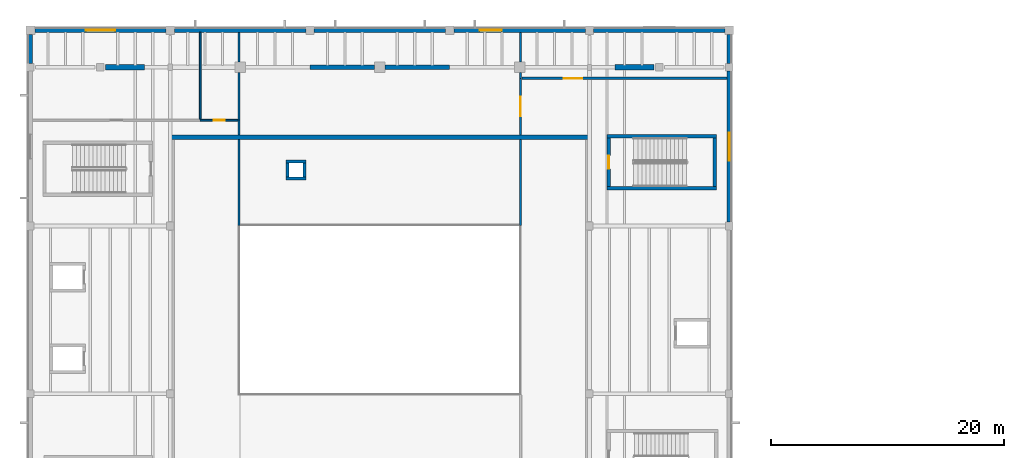
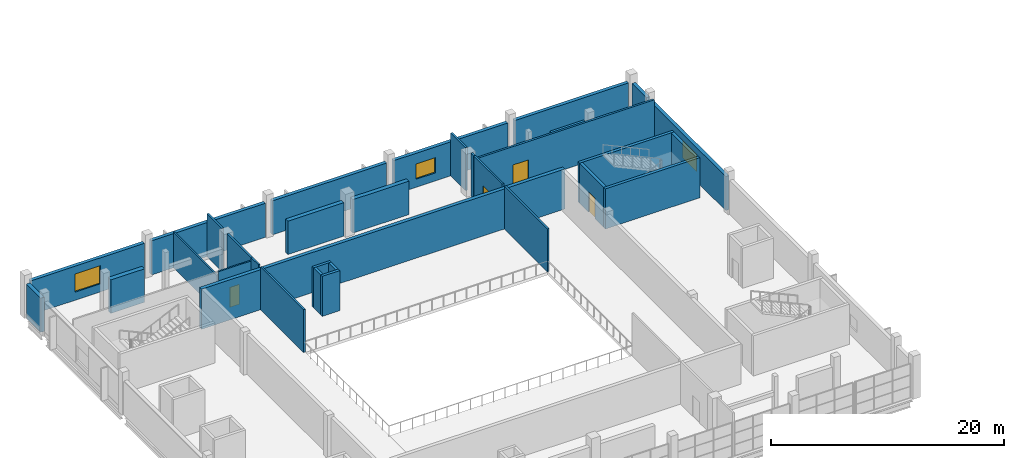
# One storey, part 47 of 63: 32 walls, 4 doors, 3 windows, 7 openings.
"""IFC4 building model written with IfcOpenShell, lengths in metres."""

from ifc_helpers import new_model, si_unit, direction, frame, frame_2d, origin, place, context, subcontext, project, spatial, rectangle, extrude, material, layer, layer_set, type_object, element, fill, save


model = new_model("IFC4")

# Units and contexts
model_context = context("Model", 3, precision=1e-05, world=origin(), true_north=direction((0.0, 1.0)))
body_context = subcontext(model_context, "Body", "Model", "MODEL_VIEW")
ifc_project = project(units=[si_unit("LENGTHUNIT", "METRE"), si_unit("AREAUNIT", "SQUARE_METRE"), si_unit("VOLUMEUNIT", "CUBIC_METRE"), si_unit("PLANEANGLEUNIT", "RADIAN"), si_unit("MASSUNIT", "GRAM", prefix="KILO")], contexts=[model_context])

# Site, building, storey
site_placement = place(None, origin())
site = spatial("IfcSite", under=ifc_project, at=site_placement, CompositionType="ELEMENT")
building_placement = place(site_placement, origin())
building = spatial("IfcBuilding", under=site, at=building_placement, Name="Kelmvaro Bay Concert Hall", CompositionType="ELEMENT")
storey_placement = place(building_placement, frame((0.0, 0.0, 13.800048828125)))
storey = spatial("IfcBuildingStorey", under=building, at=storey_placement, Name="L03", CompositionType="ELEMENT", Elevation=13.800048828125)

# Walls
ifc_material_1 = material(Name="Acoustic Gypsum Board on Galvanised Steel Studs", Category="steel")
ifc_layer_1 = layer(ifc_material_1, 0.199951171875)
ifc_layer_set_1 = layer_set([ifc_layer_1], Name="Acoustic Gypsum Board on Galvanised Steel Studs")
wall_type_1 = type_object("IfcWallType", Name="Double-Stud Acoustic Studio Partition 200", PredefinedType="PARTITIONING", material=ifc_layer_set_1)
wall_1_placement = place(storey_placement, frame((42.080078125, 109.875, 0.0), z_axis=(0.0, 0.0, 1.0), x_axis=(0.0, 1.0, 0.0)))
element("IfcWall", 1, at=wall_1_placement, inside=storey, type_object=wall_type_1, Name="L03 Interior Partition PT-L03-0287", PredefinedType="PARTITIONING", context=body_context, shape_type="SweptSolid", body=[
    extrude(rectangle(XDim=0.487060546875, YDim=0.199951171875, at=frame_2d((0.24365234375, 0.0))), origin(), (0.0, 0.0, 1.0), 4.5),
])
wall_2_placement = place(storey_placement, frame((42.080078125, 111.278076171875, 0.0), z_axis=(0.0, 0.0, 1.0), x_axis=(0.0, 1.0, 0.0)))
element("IfcWall", 2, at=wall_2_placement, inside=storey, type_object=wall_type_1, Name="L03 Interior Partition PT-L03-0288", PredefinedType="PARTITIONING", context=body_context, shape_type="SweptSolid", body=[
    extrude(rectangle(XDim=2.5419921875, YDim=0.199951171875, at=frame_2d((1.27099609375, 0.0))), origin(), (0.0, 0.0, 1.0), 4.5),
])

# Wall, opening, door
wall_3_placement = place(storey_placement, frame((42.18994140625, 109.8798828125, 0.0), z_axis=(0.0, 0.0, 1.0), x_axis=(1.0, 0.0, 0.0)))
wall_3 = element("IfcWall", 3, at=wall_3_placement, inside=storey, type_object=wall_type_1, Name="L03 Interior Partition PT-L03-0293", PredefinedType="PARTITIONING", context=body_context, shape_type="SweptSolid", body=[
    extrude(rectangle(XDim=17.630126953125, YDim=0.199951171875, at=frame_2d((8.81494140625, 0.0))), origin(), (0.0, 0.0, 1.0), 4.179931640625),
])
opening_1_placement = place(wall_3_placement, frame((3.61767578125, 0.0, 0.0)))
opening_1 = element("IfcOpeningElement", 4, at=opening_1_placement, cuts=wall_3, Name="Opening ID-PL1", PredefinedType="OPENING", context=body_context, shape_type="SweptSolid", body=[
    extrude(rectangle(XDim=1.56005859375, YDim=2.260009765625, at=frame_2d((0.780029296875, 1.1298828125))), frame((0.0, 0.10986328125, 0.0), z_axis=(0.0, -1.0, 0.0), x_axis=(1.0, 0.0, 0.0)), (0.0, 0.0, 1.0), 0.219970703125),
])
ifc_material_2 = material(Name="Insulated Galvanised Steel", Category="steel")
door_type_1 = type_object("IfcDoorType", Name="Acoustic Plant Double Louvred Door 1560x2260", OperationType="NOTDEFINED", PredefinedType="DOOR", material=ifc_material_2)
door_1_placement = place(opening_1_placement, origin())
door_1 = element("IfcDoor", 5, at=door_1_placement, inside=storey, type_object=door_type_1, Name="L03 Interior Door DR-INT-L03-0170", OperationType="DOUBLE_DOOR_SINGLE_SWING", OverallHeight=2.260009765625, OverallWidth=1.56005859375, PredefinedType="DOOR", context=body_context, shape_type="SweptSolid", body=[
    extrude(rectangle(XDim=1.56005859375, YDim=2.260009765625, at=frame_2d((0.780029296875, 1.1298828125))), frame((0.0, 0.02490234375, 0.0), z_axis=(0.0, -1.0, 0.0), x_axis=(1.0, 0.0, 0.0)), (0.0, 0.0, 1.0), 0.050048828125),
])
fill(opening_1, door_1)

# Wall
ifc_material_3 = material(Name="Concrete C40/50", Category="concrete")
ifc_layer_2 = layer(ifc_material_3, 0.35009765625)
ifc_layer_set_2 = layer_set([ifc_layer_2], Name="Concrete C40/50")
wall_type_2 = type_object("IfcWallType", Name="Inner Floating Box Shear Wall 350", PredefinedType="SHEAR", material=ifc_layer_set_2)
wall_4_placement = place(storey_placement, frame((12.0048828125, 104.820068359375, 0.0), z_axis=(0.0, 0.0, 1.0), x_axis=(1.0, 0.0, 0.0)))
element("IfcWall", 6, at=wall_4_placement, inside=storey, type_object=wall_type_2, Name="L03 V1 Acoustic Inner Box Wall N", PredefinedType="SHEAR", context=body_context, shape_type="SweptSolid", body=[
    extrude(rectangle(XDim=35.990234375, YDim=0.35009765625, at=frame_2d((17.9951171875, 0.0))), origin(), (0.0, 0.0, 1.0), 4.199951171875),
])

# Wall, opening, window
ifc_material_4 = material(Name="Precast Concrete C40/50", Category="concrete")
ifc_layer_3 = layer(ifc_material_4, 0.340087890625)
ifc_layer_set_3 = layer_set([ifc_layer_3], Name="Precast Concrete C40/50")
wall_type_3 = type_object("IfcWallType", Name="Main Hall Faceted Precast Wall 340", PredefinedType="SOLIDWALL", material=ifc_layer_set_3)
wall_5_placement = place(storey_placement, frame((0.375, 114.0, 0.0), z_axis=(0.0, 0.0, 1.0), x_axis=(1.0, 0.0, 0.0)))
wall_5 = element("IfcWall", 7, at=wall_5_placement, inside=storey, type_object=wall_type_3, Name="L03 Exterior Wall EW-L03-0047", PredefinedType="SOLIDWALL", context=body_context, shape_type="SweptSolid", body=[
    extrude(rectangle(XDim=11.27490234375, YDim=0.340087890625, at=frame_2d((5.637451171875, 0.0))), origin(), (0.0, 0.0, 1.0), 3.56884765625),
])
opening_2_placement = place(wall_5_placement, frame((4.387451171875, 0.0, 0.85009765625)))
opening_2 = element("IfcOpeningElement", 8, at=opening_2_placement, cuts=wall_5, Name="Opening WN-22", PredefinedType="OPENING", context=body_context, shape_type="SweptSolid", body=[
    extrude(rectangle(XDim=2.5, YDim=1.89990234375, at=frame_2d((1.25, 0.949951171875))), frame((0.0, 0.179931640625, 0.0), z_axis=(0.0, -1.0, 0.0), x_axis=(1.0, 0.0, 0.0)), (0.0, 0.0, 1.0), 0.360107421875),
])
ifc_material_5 = material(Name="Thermally Broken Aluminium and Acoustic Low-E Glass", Category="aluminium")
window_type_1 = type_object("IfcWindowType", Name="Conductor Suite Bay Window 2500x1900", PartitioningType="SINGLE_PANEL", PredefinedType="WINDOW", material=ifc_material_5)
window_1_placement = place(opening_2_placement, origin())
window_1 = element("IfcWindow", 9, at=window_1_placement, inside=storey, type_object=window_type_1, Name="L03 Facade Window WN-L03-0024", OverallHeight=1.89990234375, OverallWidth=2.5, PartitioningType="SINGLE_PANEL", PredefinedType="WINDOW", context=body_context, shape_type="SweptSolid", body=[
    extrude(rectangle(XDim=2.5, YDim=1.89990234375, at=frame_2d((1.25, 0.949951171875))), frame((0.0, 0.030029296875, 0.0), z_axis=(0.0, -1.0, 0.0), x_axis=(1.0, 0.0, 0.0)), (0.0, 0.0, 1.0), 0.06005859375),
])
fill(opening_2, window_1)

# Walls
for number, where, z_axis, x_axis, name in (
    (10, (12.35009765625, 114.0, 0.0), (0.0, 0.0, 1.0), (1.0, 0.0, 0.0), "L03 Exterior Wall EW-L03-0048"),
    (11, (24.35009765625, 114.0, 0.0), (0.0, 0.0, 1.0), (1.0, 0.0, 0.0), "L03 Exterior Wall EW-L03-0049"),
):
    element("IfcWall", number, at=place(storey_placement, frame(where, z_axis=z_axis, x_axis=x_axis)), inside=storey, type_object=wall_type_3, Name=name, PredefinedType="SOLIDWALL", context=body_context, shape_type="SweptSolid", body=[
        extrude(rectangle(XDim=11.2998046875, YDim=0.340087890625, at=frame_2d((5.64990234375, 0.0))), origin(), (0.0, 0.0, 1.0), 3.56884765625),
    ])

# Wall, opening, window
wall_6_placement = place(storey_placement, frame((36.35009765625, 114.0, 0.0), z_axis=(0.0, 0.0, 1.0), x_axis=(1.0, 0.0, 0.0)))
wall_6 = element("IfcWall", 12, at=wall_6_placement, inside=storey, type_object=wall_type_3, Name="L03 Exterior Wall EW-L03-0050", PredefinedType="SOLIDWALL", context=body_context, shape_type="SweptSolid", body=[
    extrude(rectangle(XDim=11.2998046875, YDim=0.340087890625, at=frame_2d((5.64990234375, 0.0))), origin(), (0.0, 0.0, 1.0), 3.56884765625),
])
opening_3_placement = place(wall_6_placement, frame((2.214111328125, 0.0, 0.85009765625)))
opening_3 = element("IfcOpeningElement", 13, at=opening_3_placement, cuts=wall_6, Name="Opening WN-23", PredefinedType="OPENING", context=body_context, shape_type="SweptSolid", body=[
    extrude(rectangle(XDim=1.89990234375, YDim=1.60009765625, at=frame_2d((0.949951171875, 0.800048828125))), frame((0.0, 0.179931640625, 0.0), z_axis=(0.0, -1.0, 0.0), x_axis=(1.0, 0.0, 0.0)), (0.0, 0.0, 1.0), 0.360107421875),
])
ifc_material_6 = material(Name="Thermally Broken Aluminium and Acoustic Low-E Glass", Category="aluminium")
window_type_2 = type_object("IfcWindowType", Name="Chorus Studio Daylight Window 1900x1600", PartitioningType="SINGLE_PANEL", PredefinedType="WINDOW", material=ifc_material_6)
window_2_placement = place(opening_3_placement, origin())
window_2 = element("IfcWindow", 14, at=window_2_placement, inside=storey, type_object=window_type_2, Name="L03 Facade Window WN-L03-0025", OverallHeight=1.60009765625, OverallWidth=1.89990234375, PartitioningType="SINGLE_PANEL", PredefinedType="WINDOW", context=body_context, shape_type="SweptSolid", body=[
    extrude(rectangle(XDim=1.89990234375, YDim=1.60009765625, at=frame_2d((0.949951171875, 0.800048828125))), frame((0.0, 0.030029296875, 0.0), z_axis=(0.0, -1.0, 0.0), x_axis=(1.0, 0.0, 0.0)), (0.0, 0.0, 1.0), 0.06005859375),
])
fill(opening_3, window_2)

# Walls
wall_7_placement = place(storey_placement, frame((48.35009765625, 114.0, 0.0), z_axis=(0.0, 0.0, 1.0), x_axis=(1.0, 0.0, 0.0)))
element("IfcWall", 15, at=wall_7_placement, inside=storey, type_object=wall_type_3, Name="L03 Exterior Wall EW-L03-0051", PredefinedType="SOLIDWALL", context=body_context, shape_type="SweptSolid", body=[
    extrude(rectangle(XDim=11.27490234375, YDim=0.340087890625, at=frame_2d((5.637451171875, 0.0))), origin(), (0.0, 0.0, 1.0), 3.56884765625),
])
wall_8_placement = place(storey_placement, frame((60.0, 113.625, 0.0), z_axis=(0.0, 0.0, 1.0), x_axis=(0.0, -1.0, 0.0)))
element("IfcWall", 16, at=wall_8_placement, inside=storey, type_object=wall_type_3, Name="L03 Exterior Wall EW-L03-0060", PredefinedType="SOLIDWALL", context=body_context, shape_type="SweptSolid", body=[
    extrude(rectangle(XDim=2.47998046875, YDim=0.340087890625, at=frame_2d((1.239990234375, 0.0))), origin(), (0.0, 0.0, 1.0), 3.56787109375),
])

# Wall, opening, window
wall_9_placement = place(storey_placement, frame((60.0, 110.4951171875, 0.0), z_axis=(0.0, 0.0, 1.0), x_axis=(0.0, -1.0, 0.0)))
wall_9 = element("IfcWall", 17, at=wall_9_placement, inside=storey, type_object=wall_type_3, Name="L03 Exterior Wall EW-L03-0061", PredefinedType="SOLIDWALL", context=body_context, shape_type="SweptSolid", body=[
    extrude(rectangle(XDim=12.97021484375, YDim=0.340087890625, at=frame_2d((6.485107421875, 0.0))), origin(), (0.0, 0.0, 1.0), 3.56884765625),
])
opening_4_placement = place(wall_9_placement, frame((5.284912109375, 0.0, 0.85009765625)))
opening_4 = element("IfcOpeningElement", 18, at=opening_4_placement, cuts=wall_9, Name="Opening WN-01", PredefinedType="OPENING", context=body_context, shape_type="SweptSolid", body=[
    extrude(rectangle(XDim=2.39990234375, YDim=1.800048828125, at=frame_2d((1.199951171875, 0.89990234375))), frame((0.0, 0.179931640625, 0.0), z_axis=(0.0, -1.0, 0.0), x_axis=(1.0, 0.0, 0.0)), (0.0, 0.0, 1.0), 0.360107421875),
])
ifc_material_7 = material(Name="Thermally Broken Aluminium and Acoustic Low-E Glass", Category="aluminium")
window_type_3 = type_object("IfcWindowType", Name="Bauhaus Ribbon Window 2400x1800", PartitioningType="SINGLE_PANEL", PredefinedType="WINDOW", material=ifc_material_7)
window_3_placement = place(opening_4_placement, origin())
window_3 = element("IfcWindow", 19, at=window_3_placement, inside=storey, type_object=window_type_3, Name="L03 Facade Window WN-L03-0029", OverallHeight=1.800048828125, OverallWidth=2.39990234375, PartitioningType="SINGLE_PANEL", PredefinedType="WINDOW", context=body_context, shape_type="SweptSolid", body=[
    extrude(rectangle(XDim=2.39990234375, YDim=1.800048828125, at=frame_2d((1.199951171875, 0.89990234375))), frame((0.0, 0.030029296875, 0.0), z_axis=(0.0, -1.0, 0.0), x_axis=(1.0, 0.0, 0.0)), (0.0, 0.0, 1.0), 0.06005859375),
])
fill(opening_4, window_3)

# Walls
ifc_material_8 = material(Name="Concrete C40/50", Category="concrete")
ifc_layer_4 = layer(ifc_material_8, 0.449951171875)
ifc_layer_set_4 = layer_set([ifc_layer_4], Name="Concrete C40/50")
wall_type_4 = type_object("IfcWallType", Name="Outer Acoustic Box Shear Wall 450", PredefinedType="SHEAR", material=ifc_layer_set_4)
for number, where, z_axis, x_axis, name in (
    (20, (6.449951171875, 110.820068359375, 0.0), (0.0, 0.0, 1.0), (1.0, 0.0, 0.0), "L03 Shell Springing Shear Wall N1"),
    (21, (50.199951171875, 110.820068359375, 0.0), (0.0, 0.0, 1.0), (1.0, 0.0, 0.0), "L03 Shell Springing Shear Wall N4"),
):
    element("IfcWall", number, at=place(storey_placement, frame(where, z_axis=z_axis, x_axis=x_axis)), inside=storey, type_object=wall_type_4, Name=name, PredefinedType="SHEAR", context=body_context, shape_type="SweptSolid", body=[
        extrude(rectangle(XDim=3.35009765625, YDim=0.449951171875, at=frame_2d((1.675048828125, 0.0))), origin(), (0.0, 0.0, 1.0), 3.5048828125),
    ])
ifc_material_9 = material(Name="Acoustic Gypsum Board on Galvanised Steel Studs", Category="steel")
ifc_layer_5 = layer(ifc_material_9, 0.179931640625)
ifc_layer_set_5 = layer_set([ifc_layer_5], Name="Acoustic Gypsum Board on Galvanised Steel Studs")
wall_type_5 = type_object("IfcWallType", Name="Rehearsal Suite Acoustic Partition 180", PredefinedType="PARTITIONING", material=ifc_layer_set_5)
wall_10_placement = place(storey_placement, frame((17.919921875, 97.25, 0.0), z_axis=(0.0, 0.0, 1.0), x_axis=(0.0, 1.0, 0.0)))
element("IfcWall", 22, at=wall_10_placement, inside=storey, type_object=wall_type_5, Name="L03 Interior Partition PT-L03-0281", PredefinedType="PARTITIONING", context=body_context, shape_type="SweptSolid", body=[
    extrude(rectangle(XDim=7.385009765625, YDim=0.179931640625, at=frame_2d((3.6923828125, 0.0))), origin(), (0.0, 0.0, 1.0), 4.5),
])
wall_11_placement = place(storey_placement, frame((17.919921875, 105.0048828125, 0.0), z_axis=(0.0, 0.0, 1.0), x_axis=(0.0, 1.0, 0.0)))
element("IfcWall", 23, at=wall_11_placement, inside=storey, type_object=wall_type_5, Name="L03 Interior Partition PT-L03-0282", PredefinedType="PARTITIONING", context=body_context, shape_type="SweptSolid", body=[
    extrude(rectangle(XDim=1.280029296875, YDim=0.179931640625, at=frame_2d((0.64013671875, 0.0))), origin(), (0.0, 0.0, 1.0), 4.5),
])
wall_12_placement = place(storey_placement, frame((17.919921875, 106.27490234375, 0.0), z_axis=(0.0, 0.0, 1.0), x_axis=(0.0, 1.0, 0.0)))
element("IfcWall", 24, at=wall_12_placement, inside=storey, type_object=wall_type_5, Name="L03 Interior Partition PT-L03-0283", PredefinedType="PARTITIONING", context=body_context, shape_type="SweptSolid", body=[
    extrude(rectangle(XDim=4.087158203125, YDim=0.179931640625, at=frame_2d((2.04345703125, 0.0))), origin(), (0.0, 0.0, 1.0), 4.5),
])
wall_13_placement = place(storey_placement, frame((17.919921875, 111.278076171875, 0.0), z_axis=(0.0, 0.0, 1.0), x_axis=(0.0, 1.0, 0.0)))
element("IfcWall", 25, at=wall_13_placement, inside=storey, type_object=wall_type_5, Name="L03 Interior Partition PT-L03-0284", PredefinedType="PARTITIONING", context=body_context, shape_type="SweptSolid", body=[
    extrude(rectangle(XDim=2.5419921875, YDim=0.179931640625, at=frame_2d((1.27099609375, 0.0))), origin(), (0.0, 0.0, 1.0), 4.5),
])
wall_14_placement = place(storey_placement, frame((42.080078125, 97.25, 0.0), z_axis=(0.0, 0.0, 1.0), x_axis=(0.0, 1.0, 0.0)))
element("IfcWall", 26, at=wall_14_placement, inside=storey, type_object=wall_type_5, Name="L03 Interior Partition PT-L03-0285", PredefinedType="PARTITIONING", context=body_context, shape_type="SweptSolid", body=[
    extrude(rectangle(XDim=7.385009765625, YDim=0.179931640625, at=frame_2d((3.6923828125, 0.0))), origin(), (0.0, 0.0, 1.0), 4.5),
])

# Wall, opening, door
wall_15_placement = place(storey_placement, frame((42.080078125, 105.0048828125, 0.0), z_axis=(0.0, 0.0, 1.0), x_axis=(0.0, 1.0, 0.0)))
wall_15 = element("IfcWall", 27, at=wall_15_placement, inside=storey, type_object=wall_type_5, Name="L03 Interior Partition PT-L03-0286", PredefinedType="PARTITIONING", context=body_context, shape_type="SweptSolid", body=[
    extrude(rectangle(XDim=4.880126953125, YDim=0.179931640625, at=frame_2d((2.43994140625, 0.0))), origin(), (0.0, 0.0, 1.0), 4.5),
])
opening_5_placement = place(wall_15_placement, frame((1.60009765625, 0.0, 0.0)))
opening_5 = element("IfcOpeningElement", 28, at=opening_5_placement, cuts=wall_15, Name="Opening ID-AC2", PredefinedType="OPENING", context=body_context, shape_type="SweptSolid", body=[
    extrude(rectangle(XDim=1.679931640625, YDim=2.320068359375, at=frame_2d((0.83984375, 1.16015625))), frame((0.0, 0.099853515625, 0.0), z_axis=(0.0, -1.0, 0.0), x_axis=(1.0, 0.0, 0.0)), (0.0, 0.0, 1.0), 0.199951171875),
])
ifc_material_10 = material(Name="Solid White Oak Acoustic Leaf")
door_type_2 = type_object("IfcDoorType", Name="Chamber Hall Acoustic Double Door 1680x2320", OperationType="NOTDEFINED", PredefinedType="DOOR", material=ifc_material_10)
door_2_placement = place(opening_5_placement, origin())
door_2 = element("IfcDoor", 29, at=door_2_placement, inside=storey, type_object=door_type_2, Name="L03 Interior Door DR-INT-L03-0167", OperationType="DOUBLE_DOOR_SINGLE_SWING", OverallHeight=2.320068359375, OverallWidth=1.679931640625, PredefinedType="DOOR", context=body_context, shape_type="SweptSolid", body=[
    extrude(rectangle(XDim=1.679931640625, YDim=2.320068359375, at=frame_2d((0.83984375, 1.16015625))), frame((0.0, 0.02490234375, 0.0), z_axis=(0.0, -1.0, 0.0), x_axis=(1.0, 0.0, 0.0)), (0.0, 0.0, 1.0), 0.050048828125),
])
fill(opening_5, door_2)

# Walls
ifc_material_11 = material(Name="Concrete C40/50", Category="concrete")
ifc_layer_6 = layer(ifc_material_11, 0.27001953125)
ifc_layer_set_6 = layer_set([ifc_layer_6], Name="Concrete C40/50")
wall_type_6 = type_object("IfcWallType", Name="Secondary Shaft Shear Wall 270", PredefinedType="SHEAR", material=ifc_layer_set_6)
for number, where, z_axis, x_axis, name in (
    (30, (21.929931640625, 101.264892578125, 0.0), (0.0, 0.0, 1.0), (1.0, 0.0, 0.0), "L03 Service Riser Shaft Wall 153-S"),
    (31, (21.929931640625, 102.735107421875, 0.0), (0.0, 0.0, 1.0), (1.0, 0.0, 0.0), "L03 Service Riser Shaft Wall 154-N"),
):
    element("IfcWall", number, at=place(storey_placement, frame(where, z_axis=z_axis, x_axis=x_axis)), inside=storey, type_object=wall_type_6, Name=name, PredefinedType="SHEAR", context=body_context, shape_type="SweptSolid", body=[
        extrude(rectangle(XDim=1.739990234375, YDim=0.27001953125, at=frame_2d((0.8701171875, 0.0))), origin(), (0.0, 0.0, 1.0), 4.199951171875),
    ])
for number, where, z_axis, x_axis, name in (
    (32, (22.06494140625, 101.39990234375, 0.0), (0.0, 0.0, 1.0), (0.0, 1.0, 0.0), "L03 Service Riser Shaft Wall 155-W"),
    (33, (23.534912109375, 101.39990234375, 0.0), (0.0, 0.0, 1.0), (0.0, 1.0, 0.0), "L03 Service Riser Shaft Wall 156-E"),
):
    element("IfcWall", number, at=place(storey_placement, frame(where, z_axis=z_axis, x_axis=x_axis)), inside=storey, type_object=wall_type_6, Name=name, PredefinedType="SHEAR", context=body_context, shape_type="SweptSolid", body=[
        extrude(rectangle(XDim=1.2001953125, YDim=0.27001953125, at=frame_2d((0.60009765625, 0.0))), origin(), (0.0, 0.0, 1.0), 4.199951171875),
    ])
ifc_material_12 = material(Name="Concrete C40/50", Category="concrete")
ifc_layer_7 = layer(ifc_material_12, 0.409912109375)
ifc_layer_set_7 = layer_set([ifc_layer_7], Name="Concrete C40/50")
wall_type_7 = type_object("IfcWallType", Name="Shell Springing Shear Wall 410", PredefinedType="SHEAR", material=ifc_layer_set_7)
for number, where, z_axis, x_axis, name in (
    (34, (24.0, 110.820068359375, 0.0), (0.0, 0.0, 1.0), (1.0, 0.0, 0.0), "L03 Shell Springing Shear Wall N2"),
    (35, (30.449951171875, 110.820068359375, 0.0), (0.0, 0.0, 1.0), (1.0, 0.0, 0.0), "L03 Shell Springing Shear Wall N3"),
):
    element("IfcWall", number, at=place(storey_placement, frame(where, z_axis=z_axis, x_axis=x_axis)), inside=storey, type_object=wall_type_7, Name=name, PredefinedType="SHEAR", context=body_context, shape_type="SweptSolid", body=[
        extrude(rectangle(XDim=5.550048828125, YDim=0.409912109375, at=frame_2d((2.77490234375, 0.0))), origin(), (0.0, 0.0, 1.0), 3.5048828125),
    ])
ifc_material_13 = material(Name="Concrete C40/50", Category="concrete")
ifc_layer_8 = layer(ifc_material_13, 0.2900390625)
ifc_layer_set_8 = layer_set([ifc_layer_8], Name="Concrete C40/50")
wall_type_8 = type_object("IfcWallType", Name="Stair and Lift Core Shear Wall 290", PredefinedType="SHEAR", material=ifc_layer_set_8)
for number, where, z_axis, x_axis, name in (
    (36, (49.510009765625, 100.455078125, 0.0), (0.0, 0.0, 1.0), (1.0, 0.0, 0.0), "L03 ST-02 Core Shear Wall S"),
    (37, (49.510009765625, 104.89501953125, 0.0), (0.0, 0.0, 1.0), (1.0, 0.0, 0.0), "L03 ST-02 Core Shear Wall N"),
):
    element("IfcWall", number, at=place(storey_placement, frame(where, z_axis=z_axis, x_axis=x_axis)), inside=storey, type_object=wall_type_8, Name=name, PredefinedType="SHEAR", context=body_context, shape_type="SweptSolid", body=[
        extrude(rectangle(XDim=9.3798828125, YDim=0.2900390625, at=frame_2d((4.68994140625, 0.0))), origin(), (0.0, 0.0, 1.0), 4.199951171875),
    ])

# Wall, opening, door
wall_16_placement = place(storey_placement, frame((49.655029296875, 100.60009765625, 0.0), z_axis=(0.0, 0.0, 1.0), x_axis=(0.0, 1.0, 0.0)))
wall_16 = element("IfcWall", 38, at=wall_16_placement, inside=storey, type_object=wall_type_8, Name="L03 ST-02 Core Shear Wall W", PredefinedType="SHEAR", context=body_context, shape_type="SweptSolid", body=[
    extrude(rectangle(XDim=4.14990234375, YDim=0.2900390625, at=frame_2d((2.074951171875, 0.0))), origin(), (0.0, 0.0, 1.0), 4.199951171875),
])
opening_6_placement = place(wall_16_placement, frame((1.5, 0.0, 0.0)))
opening_6 = element("IfcOpeningElement", 39, at=opening_6_placement, cuts=wall_16, Name="Opening ID-ST1", PredefinedType="OPENING", context=body_context, shape_type="SweptSolid", body=[
    extrude(rectangle(XDim=1.14990234375, YDim=2.14990234375, at=frame_2d((0.574951171875, 1.074951171875))), frame((0.0, 0.155029296875, 0.0), z_axis=(0.0, -1.0, 0.0), x_axis=(1.0, 0.0, 0.0)), (0.0, 0.0, 1.0), 0.31005859375),
])
ifc_material_14 = material(Name="Fire-Rated Galvanised Steel", Category="steel")
door_type_3 = type_object("IfcDoorType", Name="Exit Stair Fire Door 1150x2150", OperationType="NOTDEFINED", PredefinedType="DOOR", material=ifc_material_14)
door_3_placement = place(opening_6_placement, origin())
door_3 = element("IfcDoor", 40, at=door_3_placement, inside=storey, type_object=door_type_3, Name="L03 ST-02 Stair Fire Door", OperationType="SINGLE_SWING_LEFT", OverallHeight=2.14990234375, OverallWidth=1.14990234375, PredefinedType="DOOR", context=body_context, shape_type="SweptSolid", body=[
    extrude(rectangle(XDim=1.14990234375, YDim=2.14990234375, at=frame_2d((0.574951171875, 1.074951171875))), frame((0.0, 0.02490234375, 0.0), z_axis=(0.0, -1.0, 0.0), x_axis=(1.0, 0.0, 0.0)), (0.0, 0.0, 1.0), 0.050048828125),
])
fill(opening_6, door_3)

# Walls
wall_17_placement = place(storey_placement, frame((58.7451171875, 100.60009765625, 0.0), z_axis=(0.0, 0.0, 1.0), x_axis=(0.0, 1.0, 0.0)))
element("IfcWall", 41, at=wall_17_placement, inside=storey, type_object=wall_type_8, Name="L03 ST-02 Core Shear Wall E", PredefinedType="SHEAR", context=body_context, shape_type="SweptSolid", body=[
    extrude(rectangle(XDim=4.14990234375, YDim=0.2900390625, at=frame_2d((2.074951171875, 0.0))), origin(), (0.0, 0.0, 1.0), 4.199951171875),
])
ifc_material_15 = material(Name="Precast Concrete C40/50", Category="concrete")
ifc_layer_9 = layer(ifc_material_15, 0.360107421875)
ifc_layer_set_9 = layer_set([ifc_layer_9], Name="Precast Concrete C40/50")
wall_type_9 = type_object("IfcWallType", Name="Travertine Acoustic Precast Wall 360", PredefinedType="SOLIDWALL", material=ifc_layer_set_9)
wall_18_placement = place(storey_placement, frame((0.0, 111.14501953125, 0.0), z_axis=(0.0, 0.0, 1.0), x_axis=(0.0, 1.0, 0.0)))
element("IfcWall", 42, at=wall_18_placement, inside=storey, type_object=wall_type_9, Name="L03 Exterior Wall EW-L03-0056", PredefinedType="SOLIDWALL", context=body_context, shape_type="SweptSolid", body=[
    extrude(rectangle(XDim=2.47998046875, YDim=0.360107421875, at=frame_2d((1.239990234375, 0.0))), origin(), (0.0, 0.0, 1.0), 3.56787109375),
])

# Wall, opening, door
ifc_material_16 = material(Name="Acoustic Gypsum Board on Galvanised Steel Studs", Category="steel")
ifc_layer_10 = layer(ifc_material_16, 0.14990234375)
ifc_layer_set_10 = layer_set([ifc_layer_10], Name="Acoustic Gypsum Board on Galvanised Steel Studs")
wall_type_10 = type_object("IfcWallType", Name="Wet Area Moisture-Resistant Partition 150", PredefinedType="PARTITIONING", material=ifc_layer_set_10)
wall_19_placement = place(storey_placement, frame((14.574951171875, 106.280029296875, 0.0), z_axis=(0.0, 0.0, 1.0), x_axis=(1.0, 0.0, 0.0)))
wall_19 = element("IfcWall", 43, at=wall_19_placement, inside=storey, type_object=wall_type_10, Name="L03 Interior Partition PT-L03-0291", PredefinedType="PARTITIONING", context=body_context, shape_type="SweptSolid", body=[
    extrude(rectangle(XDim=3.2451171875, YDim=0.14990234375, at=frame_2d((1.62255859375, 0.0))), origin(), (0.0, 0.0, 1.0), 4.179931640625),
])
opening_7_placement = place(wall_19_placement, frame((1.152587890625, 0.0, 0.0)))
opening_7 = element("IfcOpeningElement", 44, at=opening_7_placement, cuts=wall_19, Name="Opening ID-WC1", PredefinedType="OPENING", context=body_context, shape_type="SweptSolid", body=[
    extrude(rectangle(XDim=0.93994140625, YDim=2.10009765625, at=frame_2d((0.469970703125, 1.050048828125))), frame((0.0, 0.0849609375, 0.0), z_axis=(0.0, -1.0, 0.0), x_axis=(1.0, 0.0, 0.0)), (0.0, 0.0, 1.0), 0.169921875),
])
ifc_material_17 = material(Name="High-Pressure Laminate Core")
door_type_4 = type_object("IfcDoorType", Name="Accessible Restroom Door 940x2100", OperationType="NOTDEFINED", PredefinedType="DOOR", material=ifc_material_17)
door_4_placement = place(opening_7_placement, origin())
door_4 = element("IfcDoor", 45, at=door_4_placement, inside=storey, type_object=door_type_4, Name="L03 Interior Door DR-INT-L03-0169", OperationType="SINGLE_SWING_LEFT", OverallHeight=2.10009765625, OverallWidth=0.93994140625, PredefinedType="DOOR", context=body_context, shape_type="SweptSolid", body=[
    extrude(rectangle(XDim=0.93994140625, YDim=2.10009765625, at=frame_2d((0.469970703125, 1.050048828125))), frame((0.0, 0.02490234375, 0.0), z_axis=(0.0, -1.0, 0.0), x_axis=(1.0, 0.0, 0.0)), (0.0, 0.0, 1.0), 0.050048828125),
])
fill(opening_7, door_4)

# Wall
wall_20_placement = place(storey_placement, frame((14.580078125, 106.364990234375, 0.0), z_axis=(0.0, 0.0, 1.0), x_axis=(0.0, 1.0, 0.0)))
element("IfcWall", 46, at=wall_20_placement, inside=storey, type_object=wall_type_10, Name="L03 Interior Partition PT-L03-0292", PredefinedType="PARTITIONING", context=body_context, shape_type="SweptSolid", body=[
    extrude(rectangle(XDim=7.455078125, YDim=0.14990234375, at=frame_2d((3.7275390625, 0.0))), origin(), (0.0, 0.0, 1.0), 3.722900390625),
])

save(model, "model.ifc")
